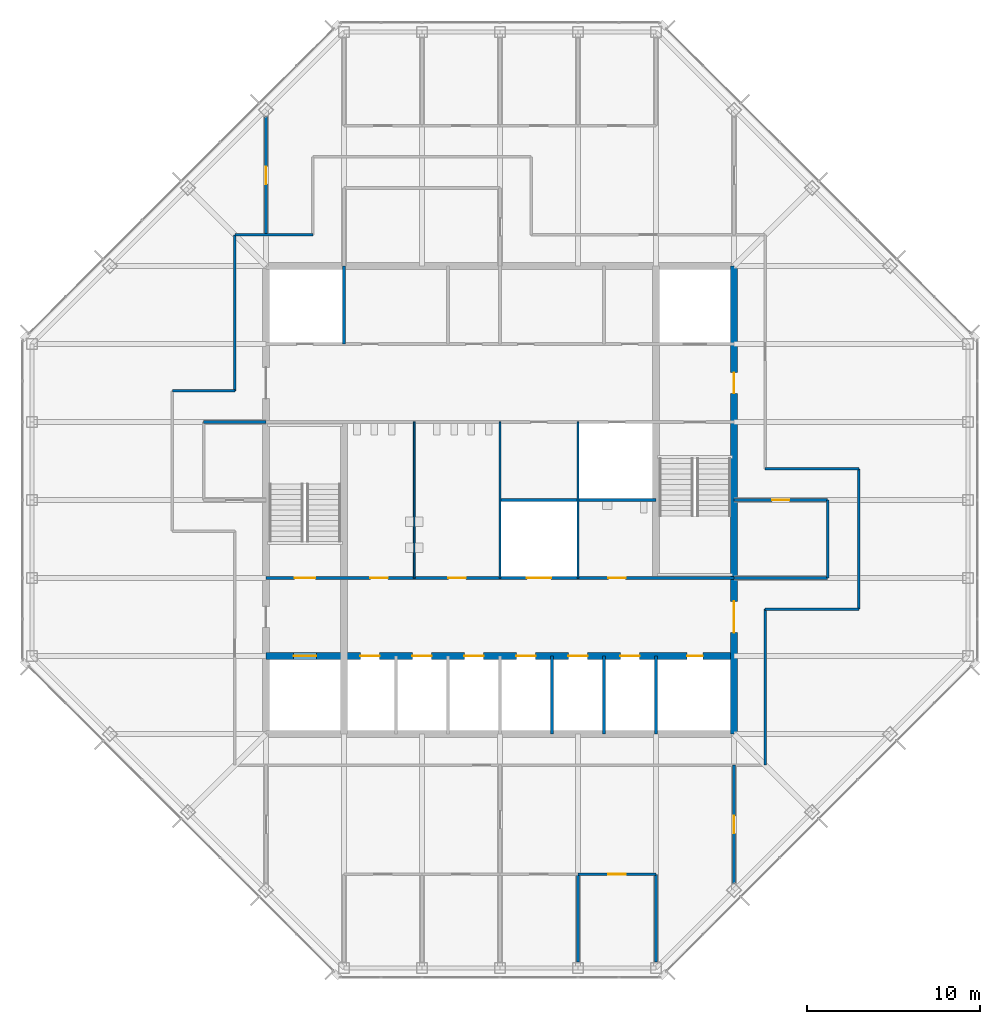
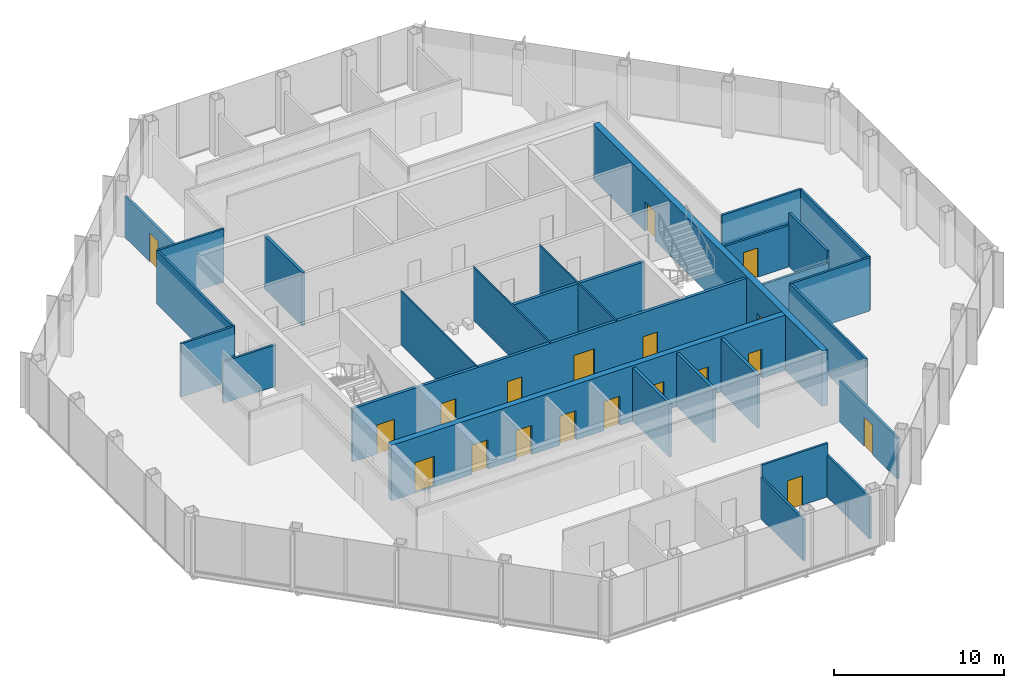
# One storey, part 10 of 14: 27 walls, 19 doors, 19 openings.
"""IFC4 building model written with IfcOpenShell, lengths in metres."""

from ifc_helpers import new_model, si_unit, direction, frame, frame_2d, origin, place, context, subcontext, project, spatial, rectangle, extrude, material, layer, layer_set, type_object, element, fill, save


model = new_model("IFC4")

# Units and contexts
model_context = context("Model", 3, precision=1e-05, world=origin(), true_north=direction((0.0, 1.0)))
body_context = subcontext(model_context, "Body", "Model", "MODEL_VIEW")
ifc_project = project(units=[si_unit("LENGTHUNIT", "METRE"), si_unit("AREAUNIT", "SQUARE_METRE"), si_unit("VOLUMEUNIT", "CUBIC_METRE"), si_unit("PLANEANGLEUNIT", "RADIAN"), si_unit("MASSUNIT", "GRAM", prefix="KILO")], contexts=[model_context])

# Site, building, storey
site_placement = place(None, origin())
site = spatial("IfcSite", under=ifc_project, at=site_placement, CompositionType="ELEMENT")
building_placement = place(site_placement, origin())
building = spatial("IfcBuilding", under=site, at=building_placement, Name="Corais Broadcast Tower", CompositionType="ELEMENT")
storey_placement = place(building_placement, frame((0.0, 0.0, 246.60009765625)))
storey = spatial("IfcBuildingStorey", under=building, at=storey_placement, Name="L57", CompositionType="ELEMENT", Elevation=246.60009765625)

# Walls
ifc_material_1 = material(Name="Concrete blockwork class A, grouted, two-hour", Category="masonry")
ifc_layer_1 = layer(ifc_material_1, 0.199951171875)
ifc_layer_set_1 = layer_set([ifc_layer_1], Name="Concrete blockwork class A, grouted, two-hour")
wall_type_1 = type_object("IfcWallType", Name="Core lobby wall 200", PredefinedType="SOLIDWALL", material=ifc_layer_set_1)
for number, where, z_axis, x_axis, name in (
    (1, (18.0, 36.0, 0.0), (0.0, 0.0, 1.0), (0.0, 1.0, 0.0), "CL3 core shaft wall X18B L57"),
    (2, (36.0, 13.5, 0.0), (0.0, 0.0, 1.0), (0.0, 1.0, 0.0), "CL3 core shaft wall X36A L57"),
):
    element("IfcWall", number, at=place(storey_placement, frame(where, z_axis=z_axis, x_axis=x_axis)), inside=storey, type_object=wall_type_1, Name=name, PredefinedType="SOLIDWALL", context=body_context, shape_type="SweptSolid", body=[
        extrude(rectangle(XDim=4.5, YDim=0.199951171875, at=frame_2d((2.25, 0.0))), origin(), (0.0, 0.0, 1.0), 3.83984375),
    ])

# Wall, openings, doors
wall_1_placement = place(storey_placement, frame((13.5, 22.5, 0.0), z_axis=(0.0, 0.0, 1.0), x_axis=(1.0, 0.0, 0.0)))
wall_1 = element("IfcWall", 3, at=wall_1_placement, inside=storey, type_object=wall_type_1, Name="CL3 core lobby wall Y225 L57", PredefinedType="SOLIDWALL", context=body_context, shape_type="SweptSolid", body=[
    extrude(rectangle(XDim=27.0, YDim=0.199951171875, at=frame_2d((13.5, 0.0))), origin(), (0.0, 0.0, 1.0), 3.83984375),
])
opening_1_placement = place(wall_1_placement, frame((1.64990234375, 0.0, 0.0)))
opening_1 = element("IfcOpeningElement", 4, at=opening_1_placement, cuts=wall_1, Name="Opening FD1", PredefinedType="OPENING", context=body_context, shape_type="SweptSolid", body=[
    extrude(rectangle(XDim=1.199951171875, YDim=2.10009765625, at=frame_2d((0.60009765625, 1.050048828125))), frame((0.0, 0.10986328125, 0.0), z_axis=(0.0, -1.0, 0.0), x_axis=(1.0, 0.0, 0.0)), (0.0, 0.0, 1.0), 0.219970703125),
])
opening_2_placement = place(wall_1_placement, frame((6.02490234375, 0.0, 0.0)))
opening_2 = element("IfcOpeningElement", 5, at=opening_2_placement, cuts=wall_1, Name="Opening WD1", PredefinedType="OPENING", context=body_context, shape_type="SweptSolid", body=[
    extrude(rectangle(XDim=1.0, YDim=2.10009765625, at=frame_2d((0.5, 1.050048828125))), frame((0.0, 0.10986328125, 0.0), z_axis=(0.0, -1.0, 0.0), x_axis=(1.0, 0.0, 0.0)), (0.0, 0.0, 1.0), 0.219970703125),
])
opening_3_placement = place(wall_1_placement, frame((10.52490234375, 0.0, 0.0)))
opening_3 = element("IfcOpeningElement", 6, at=opening_3_placement, cuts=wall_1, Name="Opening WD1", PredefinedType="OPENING", context=body_context, shape_type="SweptSolid", body=[
    extrude(rectangle(XDim=1.0, YDim=2.10009765625, at=frame_2d((0.5, 1.050048828125))), frame((0.0, 0.10986328125, 0.0), z_axis=(0.0, -1.0, 0.0), x_axis=(1.0, 0.0, 0.0)), (0.0, 0.0, 1.0), 0.219970703125),
])
opening_4_placement = place(wall_1_placement, frame((19.75, 0.0, 0.0)))
opening_4 = element("IfcOpeningElement", 7, at=opening_4_placement, cuts=wall_1, Name="Opening WD1", PredefinedType="OPENING", context=body_context, shape_type="SweptSolid", body=[
    extrude(rectangle(XDim=1.0, YDim=2.10009765625, at=frame_2d((0.5, 1.050048828125))), frame((0.0, 0.10986328125, 0.0), z_axis=(0.0, -1.0, 0.0), x_axis=(1.0, 0.0, 0.0)), (0.0, 0.0, 1.0), 0.219970703125),
])
opening_5_placement = place(wall_1_placement, frame((15.050048828125, 0.0, 0.0)))
opening_5 = element("IfcOpeningElement", 8, at=opening_5_placement, cuts=wall_1, Name="Opening LD3", PredefinedType="OPENING", context=body_context, shape_type="SweptSolid", body=[
    extrude(rectangle(XDim=1.39990234375, YDim=2.39990234375, at=frame_2d((0.699951171875, 1.199951171875))), frame((0.0, 0.10986328125, 0.0), z_axis=(0.0, -1.0, 0.0), x_axis=(1.0, 0.0, 0.0)), (0.0, 0.0, 1.0), 0.219970703125),
])
ifc_material_2 = material(Name="Steel fire door", Category="steel")
door_type_1 = type_object("IfcDoorType", Name="Fire door 1200x2100", OperationType="SINGLE_SWING_LEFT", PredefinedType="DOOR", material=ifc_material_2)
door_1_placement = place(opening_1_placement, origin())
door_1 = element("IfcDoor", 9, at=door_1_placement, inside=storey, type_object=door_type_1, Name="FD1 stair A door L57", OperationType="SINGLE_SWING_LEFT", OverallHeight=2.10009765625, OverallWidth=1.199951171875, PredefinedType="DOOR", context=body_context, shape_type="SweptSolid", body=[
    extrude(rectangle(XDim=1.199951171875, YDim=2.10009765625, at=frame_2d((0.60009765625, 1.050048828125))), frame((0.0, 0.02490234375, 0.0), z_axis=(0.0, -1.0, 0.0), x_axis=(1.0, 0.0, 0.0)), (0.0, 0.0, 1.0), 0.050048828125),
])
fill(opening_1, door_1)
ifc_material_3 = material(Name="Stainless steel lift door", Category="steel")
door_type_2 = type_object("IfcDoorType", Name="Service lift landing door 1400x2400", OperationType="SLIDING_TO_LEFT", PredefinedType="DOOR", material=ifc_material_3)
door_2_placement = place(opening_5_placement, origin())
door_2 = element("IfcDoor", 10, at=door_2_placement, inside=storey, type_object=door_type_2, Name="LD3 SL1 landing door L57", OperationType="SLIDING_TO_LEFT", OverallHeight=2.39990234375, OverallWidth=1.39990234375, PredefinedType="DOOR", context=body_context, shape_type="SweptSolid", body=[
    extrude(rectangle(XDim=1.39990234375, YDim=2.39990234375, at=frame_2d((0.699951171875, 1.199951171875))), frame((0.0, 0.02490234375, 0.0), z_axis=(0.0, -1.0, 0.0), x_axis=(1.0, 0.0, 0.0)), (0.0, 0.0, 1.0), 0.050048828125),
])
fill(opening_5, door_2)
ifc_material_4 = material(Name="Timber door", Category="wood")
door_type_3 = type_object("IfcDoorType", Name="Toilet door 1000x2100", OperationType="SINGLE_SWING_LEFT", PredefinedType="DOOR", material=ifc_material_4)
door_3_placement = place(opening_2_placement, origin())
door_3 = element("IfcDoor", 11, at=door_3_placement, inside=storey, type_object=door_type_3, Name="WD1 WC male door L57", OperationType="SINGLE_SWING_LEFT", OverallHeight=2.10009765625, OverallWidth=1.0, PredefinedType="DOOR", context=body_context, shape_type="SweptSolid", body=[
    extrude(rectangle(XDim=1.0, YDim=2.10009765625, at=frame_2d((0.5, 1.050048828125))), frame((0.0, 0.02490234375, 0.0), z_axis=(0.0, -1.0, 0.0), x_axis=(1.0, 0.0, 0.0)), (0.0, 0.0, 1.0), 0.050048828125),
])
fill(opening_2, door_3)
door_4_placement = place(opening_3_placement, origin())
door_4 = element("IfcDoor", 12, at=door_4_placement, inside=storey, type_object=door_type_3, Name="WD1 WC female door L57", OperationType="SINGLE_SWING_LEFT", OverallHeight=2.10009765625, OverallWidth=1.0, PredefinedType="DOOR", context=body_context, shape_type="SweptSolid", body=[
    extrude(rectangle(XDim=1.0, YDim=2.10009765625, at=frame_2d((0.5, 1.050048828125))), frame((0.0, 0.02490234375, 0.0), z_axis=(0.0, -1.0, 0.0), x_axis=(1.0, 0.0, 0.0)), (0.0, 0.0, 1.0), 0.050048828125),
])
fill(opening_3, door_4)
door_5_placement = place(opening_4_placement, origin())
door_5 = element("IfcDoor", 13, at=door_5_placement, inside=storey, type_object=door_type_3, Name="WD1 accessible WC door L57", OperationType="SINGLE_SWING_RIGHT", OverallHeight=2.10009765625, OverallWidth=1.0, PredefinedType="DOOR", context=body_context, shape_type="SweptSolid", body=[
    extrude(rectangle(XDim=1.0, YDim=2.10009765625, at=frame_2d((0.5, 1.050048828125))), frame((0.0, 0.02490234375, 0.0), z_axis=(0.0, -1.0, 0.0), x_axis=(1.0, 0.0, 0.0)), (0.0, 0.0, 1.0), 0.050048828125),
])
fill(opening_4, door_5)

ifc_material_5 = material(Name="Concrete C50/60", Category="concrete")
ifc_layer_2 = layer(ifc_material_5, 0.39990234375)
ifc_layer_set_2 = layer_set([ifc_layer_2], Name="Concrete C50/60")
wall_type_2 = type_object("IfcWallType", Name="Core wall 400", PredefinedType="SHEAR", material=ifc_layer_set_2)
wall_2_placement = place(storey_placement, frame((40.5, 13.5, 0.0), z_axis=(0.0, 0.0, 1.0), x_axis=(0.0, 1.0, 0.0)))
wall_2 = element("IfcWall", 14, at=wall_2_placement, inside=storey, type_object=wall_type_2, Name="CR400 core wall E L57", PredefinedType="SHEAR", context=body_context, shape_type="SweptSolid", body=[
    extrude(rectangle(XDim=27.0, YDim=0.39990234375, at=frame_2d((13.5, 0.0))), origin(), (0.0, 0.0, 1.0), 4.0),
])
opening_6_placement = place(wall_2_placement, frame((5.85009765625, 0.0, 0.0)))
opening_6 = element("IfcOpeningElement", 15, at=opening_6_placement, cuts=wall_2, Name="Opening FD2", PredefinedType="OPENING", context=body_context, shape_type="SweptSolid", body=[
    extrude(rectangle(XDim=1.800048828125, YDim=2.10009765625, at=frame_2d((0.89990234375, 1.050048828125))), frame((0.0, 0.2099609375, 0.0), z_axis=(0.0, -1.0, 0.0), x_axis=(1.0, 0.0, 0.0)), (0.0, 0.0, 1.0), 0.419921875),
])
opening_7_placement = place(wall_2_placement, frame((19.64990234375, 0.0, 0.0)))
opening_7 = element("IfcOpeningElement", 16, at=opening_7_placement, cuts=wall_2, Name="Opening FD1", PredefinedType="OPENING", context=body_context, shape_type="SweptSolid", body=[
    extrude(rectangle(XDim=1.199951171875, YDim=2.10009765625, at=frame_2d((0.60009765625, 1.050048828125))), frame((0.0, 0.2099609375, 0.0), z_axis=(0.0, -1.0, 0.0), x_axis=(1.0, 0.0, 0.0)), (0.0, 0.0, 1.0), 0.419921875),
])
door_6_placement = place(opening_7_placement, origin())
door_6 = element("IfcDoor", 17, at=door_6_placement, inside=storey, type_object=door_type_1, Name="FD1 fire lobby B door L57", OperationType="SINGLE_SWING_RIGHT", OverallHeight=2.10009765625, OverallWidth=1.199951171875, PredefinedType="DOOR", context=body_context, shape_type="SweptSolid", body=[
    extrude(rectangle(XDim=1.199951171875, YDim=2.10009765625, at=frame_2d((0.60009765625, 1.050048828125))), frame((0.0, 0.02490234375, 0.0), z_axis=(0.0, -1.0, 0.0), x_axis=(1.0, 0.0, 0.0)), (0.0, 0.0, 1.0), 0.050048828125),
])
fill(opening_7, door_6)
ifc_material_6 = material(Name="Steel fire door", Category="steel")
door_type_4 = type_object("IfcDoorType", Name="Fire door pair 1800x2100", OperationType="DOUBLE_DOOR_SINGLE_SWING", PredefinedType="DOOR", material=ifc_material_6)
door_7_placement = place(opening_6_placement, origin())
door_7 = element("IfcDoor", 18, at=door_7_placement, inside=storey, type_object=door_type_4, Name="FD2 lift lobby door L57", OperationType="SINGLE_SWING_LEFT", OverallHeight=2.10009765625, OverallWidth=1.800048828125, PredefinedType="DOOR", context=body_context, shape_type="SweptSolid", body=[
    extrude(rectangle(XDim=1.800048828125, YDim=2.10009765625, at=frame_2d((0.89990234375, 1.050048828125))), frame((0.0, 0.02490234375, 0.0), z_axis=(0.0, -1.0, 0.0), x_axis=(1.0, 0.0, 0.0)), (0.0, 0.0, 1.0), 0.050048828125),
])
fill(opening_6, door_7)

wall_3_placement = place(storey_placement, frame((13.5, 18.0, 0.0), z_axis=(0.0, 0.0, 1.0), x_axis=(1.0, 0.0, 0.0)))
wall_3 = element("IfcWall", 19, at=wall_3_placement, inside=storey, type_object=wall_type_2, Name="CR400 core wall Y18 L57", PredefinedType="SHEAR", context=body_context, shape_type="SweptSolid", body=[
    extrude(rectangle(XDim=27.0, YDim=0.39990234375, at=frame_2d((13.5, 0.0))), origin(), (0.0, 0.0, 1.0), 4.0),
])
opening_8_placement = place(wall_3_placement, frame((24.300048828125, 0.0, 0.0)))
opening_8 = element("IfcOpeningElement", 20, at=opening_8_placement, cuts=wall_3, Name="Opening RD1", PredefinedType="OPENING", context=body_context, shape_type="SweptSolid", body=[
    extrude(rectangle(XDim=0.89990234375, YDim=2.10009765625, at=frame_2d((0.449951171875, 1.050048828125))), frame((0.0, 0.2099609375, 0.0), z_axis=(0.0, -1.0, 0.0), x_axis=(1.0, 0.0, 0.0)), (0.0, 0.0, 1.0), 0.419921875),
])
opening_9_placement = place(wall_3_placement, frame((5.449951171875, 0.0, 0.0)))
opening_9 = element("IfcOpeningElement", 21, at=opening_9_placement, cuts=wall_3, Name="Opening LD1", PredefinedType="OPENING", context=body_context, shape_type="SweptSolid", body=[
    extrude(rectangle(XDim=1.10009765625, YDim=2.10009765625, at=frame_2d((0.550048828125, 1.050048828125))), frame((0.0, 0.2099609375, 0.0), z_axis=(0.0, -1.0, 0.0), x_axis=(1.0, 0.0, 0.0)), (0.0, 0.0, 1.0), 0.419921875),
])
opening_10_placement = place(wall_3_placement, frame((8.449951171875, 0.0, 0.0)))
opening_10 = element("IfcOpeningElement", 22, at=opening_10_placement, cuts=wall_3, Name="Opening LD1", PredefinedType="OPENING", context=body_context, shape_type="SweptSolid", body=[
    extrude(rectangle(XDim=1.10009765625, YDim=2.10009765625, at=frame_2d((0.550048828125, 1.050048828125))), frame((0.0, 0.2099609375, 0.0), z_axis=(0.0, -1.0, 0.0), x_axis=(1.0, 0.0, 0.0)), (0.0, 0.0, 1.0), 0.419921875),
])
opening_11_placement = place(wall_3_placement, frame((11.449951171875, 0.0, 0.0)))
opening_11 = element("IfcOpeningElement", 23, at=opening_11_placement, cuts=wall_3, Name="Opening LD1", PredefinedType="OPENING", context=body_context, shape_type="SweptSolid", body=[
    extrude(rectangle(XDim=1.10009765625, YDim=2.10009765625, at=frame_2d((0.550048828125, 1.050048828125))), frame((0.0, 0.2099609375, 0.0), z_axis=(0.0, -1.0, 0.0), x_axis=(1.0, 0.0, 0.0)), (0.0, 0.0, 1.0), 0.419921875),
])
opening_12_placement = place(wall_3_placement, frame((14.449951171875, 0.0, 0.0)))
opening_12 = element("IfcOpeningElement", 24, at=opening_12_placement, cuts=wall_3, Name="Opening LD1", PredefinedType="OPENING", context=body_context, shape_type="SweptSolid", body=[
    extrude(rectangle(XDim=1.10009765625, YDim=2.10009765625, at=frame_2d((0.550048828125, 1.050048828125))), frame((0.0, 0.2099609375, 0.0), z_axis=(0.0, -1.0, 0.0), x_axis=(1.0, 0.0, 0.0)), (0.0, 0.0, 1.0), 0.419921875),
])
opening_13_placement = place(wall_3_placement, frame((17.449951171875, 0.0, 0.0)))
opening_13 = element("IfcOpeningElement", 25, at=opening_13_placement, cuts=wall_3, Name="Opening LD1", PredefinedType="OPENING", context=body_context, shape_type="SweptSolid", body=[
    extrude(rectangle(XDim=1.10009765625, YDim=2.10009765625, at=frame_2d((0.550048828125, 1.050048828125))), frame((0.0, 0.2099609375, 0.0), z_axis=(0.0, -1.0, 0.0), x_axis=(1.0, 0.0, 0.0)), (0.0, 0.0, 1.0), 0.419921875),
])
opening_14_placement = place(wall_3_placement, frame((20.449951171875, 0.0, 0.0)))
opening_14 = element("IfcOpeningElement", 26, at=opening_14_placement, cuts=wall_3, Name="Opening LD1", PredefinedType="OPENING", context=body_context, shape_type="SweptSolid", body=[
    extrude(rectangle(XDim=1.10009765625, YDim=2.10009765625, at=frame_2d((0.550048828125, 1.050048828125))), frame((0.0, 0.2099609375, 0.0), z_axis=(0.0, -1.0, 0.0), x_axis=(1.0, 0.0, 0.0)), (0.0, 0.0, 1.0), 0.419921875),
])
opening_15_placement = place(wall_3_placement, frame((1.60009765625, 0.0, 0.0)))
opening_15 = element("IfcOpeningElement", 27, at=opening_15_placement, cuts=wall_3, Name="Opening LD2", PredefinedType="OPENING", context=body_context, shape_type="SweptSolid", body=[
    extrude(rectangle(XDim=1.300048828125, YDim=2.199951171875, at=frame_2d((0.64990234375, 1.10009765625))), frame((0.0, 0.2099609375, 0.0), z_axis=(0.0, -1.0, 0.0), x_axis=(1.0, 0.0, 0.0)), (0.0, 0.0, 1.0), 0.419921875),
])
ifc_material_7 = material(Name="Stainless steel lift door", Category="steel")
door_type_5 = type_object("IfcDoorType", Name="Lift landing door 1100x2100", OperationType="SLIDING_TO_LEFT", PredefinedType="DOOR", material=ifc_material_7)
door_8_placement = place(opening_9_placement, origin())
door_8 = element("IfcDoor", 28, at=door_8_placement, inside=storey, type_object=door_type_5, Name="LD1 PH1 landing door L57", OperationType="SLIDING_TO_LEFT", OverallHeight=2.10009765625, OverallWidth=1.10009765625, PredefinedType="DOOR", context=body_context, shape_type="SweptSolid", body=[
    extrude(rectangle(XDim=1.10009765625, YDim=2.10009765625, at=frame_2d((0.550048828125, 1.050048828125))), frame((0.0, 0.02490234375, 0.0), z_axis=(0.0, -1.0, 0.0), x_axis=(1.0, 0.0, 0.0)), (0.0, 0.0, 1.0), 0.050048828125),
])
fill(opening_9, door_8)
door_9_placement = place(opening_10_placement, origin())
door_9 = element("IfcDoor", 29, at=door_9_placement, inside=storey, type_object=door_type_5, Name="LD1 PH2 landing door L57", OperationType="SLIDING_TO_LEFT", OverallHeight=2.10009765625, OverallWidth=1.10009765625, PredefinedType="DOOR", context=body_context, shape_type="SweptSolid", body=[
    extrude(rectangle(XDim=1.10009765625, YDim=2.10009765625, at=frame_2d((0.550048828125, 1.050048828125))), frame((0.0, 0.02490234375, 0.0), z_axis=(0.0, -1.0, 0.0), x_axis=(1.0, 0.0, 0.0)), (0.0, 0.0, 1.0), 0.050048828125),
])
fill(opening_10, door_9)
door_10_placement = place(opening_11_placement, origin())
door_10 = element("IfcDoor", 30, at=door_10_placement, inside=storey, type_object=door_type_5, Name="LD1 PH3 landing door L57", OperationType="SLIDING_TO_LEFT", OverallHeight=2.10009765625, OverallWidth=1.10009765625, PredefinedType="DOOR", context=body_context, shape_type="SweptSolid", body=[
    extrude(rectangle(XDim=1.10009765625, YDim=2.10009765625, at=frame_2d((0.550048828125, 1.050048828125))), frame((0.0, 0.02490234375, 0.0), z_axis=(0.0, -1.0, 0.0), x_axis=(1.0, 0.0, 0.0)), (0.0, 0.0, 1.0), 0.050048828125),
])
fill(opening_11, door_10)
door_11_placement = place(opening_12_placement, origin())
door_11 = element("IfcDoor", 31, at=door_11_placement, inside=storey, type_object=door_type_5, Name="LD1 PH4 landing door L57", OperationType="SLIDING_TO_LEFT", OverallHeight=2.10009765625, OverallWidth=1.10009765625, PredefinedType="DOOR", context=body_context, shape_type="SweptSolid", body=[
    extrude(rectangle(XDim=1.10009765625, YDim=2.10009765625, at=frame_2d((0.550048828125, 1.050048828125))), frame((0.0, 0.02490234375, 0.0), z_axis=(0.0, -1.0, 0.0), x_axis=(1.0, 0.0, 0.0)), (0.0, 0.0, 1.0), 0.050048828125),
])
fill(opening_12, door_11)
door_12_placement = place(opening_13_placement, origin())
door_12 = element("IfcDoor", 32, at=door_12_placement, inside=storey, type_object=door_type_5, Name="LD1 PH5 landing door L57", OperationType="SLIDING_TO_LEFT", OverallHeight=2.10009765625, OverallWidth=1.10009765625, PredefinedType="DOOR", context=body_context, shape_type="SweptSolid", body=[
    extrude(rectangle(XDim=1.10009765625, YDim=2.10009765625, at=frame_2d((0.550048828125, 1.050048828125))), frame((0.0, 0.02490234375, 0.0), z_axis=(0.0, -1.0, 0.0), x_axis=(1.0, 0.0, 0.0)), (0.0, 0.0, 1.0), 0.050048828125),
])
fill(opening_13, door_12)
door_13_placement = place(opening_14_placement, origin())
door_13 = element("IfcDoor", 33, at=door_13_placement, inside=storey, type_object=door_type_5, Name="LD1 PH6 landing door L57", OperationType="SLIDING_TO_LEFT", OverallHeight=2.10009765625, OverallWidth=1.10009765625, PredefinedType="DOOR", context=body_context, shape_type="SweptSolid", body=[
    extrude(rectangle(XDim=1.10009765625, YDim=2.10009765625, at=frame_2d((0.550048828125, 1.050048828125))), frame((0.0, 0.02490234375, 0.0), z_axis=(0.0, -1.0, 0.0), x_axis=(1.0, 0.0, 0.0)), (0.0, 0.0, 1.0), 0.050048828125),
])
fill(opening_14, door_13)
ifc_material_8 = material(Name="Stainless steel lift door", Category="steel")
door_type_6 = type_object("IfcDoorType", Name="Lift landing door 1300x2200", OperationType="SLIDING_TO_LEFT", PredefinedType="DOOR", material=ifc_material_8)
door_14_placement = place(opening_15_placement, origin())
door_14 = element("IfcDoor", 34, at=door_14_placement, inside=storey, type_object=door_type_6, Name="LD2 FL1 landing door L57", OperationType="SLIDING_TO_LEFT", OverallHeight=2.199951171875, OverallWidth=1.300048828125, PredefinedType="DOOR", context=body_context, shape_type="SweptSolid", body=[
    extrude(rectangle(XDim=1.300048828125, YDim=2.199951171875, at=frame_2d((0.64990234375, 1.10009765625))), frame((0.0, 0.02490234375, 0.0), z_axis=(0.0, -1.0, 0.0), x_axis=(1.0, 0.0, 0.0)), (0.0, 0.0, 1.0), 0.050048828125),
])
fill(opening_15, door_14)
ifc_material_9 = material(Name="Steel fire door", Category="steel")
door_type_7 = type_object("IfcDoorType", Name="Riser door 900x2100", OperationType="SINGLE_SWING_LEFT", PredefinedType="DOOR", material=ifc_material_9)
door_15_placement = place(opening_8_placement, origin())
door_15 = element("IfcDoor", 35, at=door_15_placement, inside=storey, type_object=door_type_7, Name="RD1 riser door L57", OperationType="SINGLE_SWING_RIGHT", OverallHeight=2.10009765625, OverallWidth=0.89990234375, PredefinedType="DOOR", context=body_context, shape_type="SweptSolid", body=[
    extrude(rectangle(XDim=0.89990234375, YDim=2.10009765625, at=frame_2d((0.449951171875, 1.050048828125))), frame((0.0, 0.02490234375, 0.0), z_axis=(0.0, -1.0, 0.0), x_axis=(1.0, 0.0, 0.0)), (0.0, 0.0, 1.0), 0.050048828125),
])
fill(opening_8, door_15)

# Walls
ifc_material_10 = material(Name="Gypsum board on steel studs", Category="steel")
ifc_layer_3 = layer(ifc_material_10, 0.14990234375)
ifc_layer_set_3 = layer_set([ifc_layer_3], Name="Gypsum board on steel studs")
wall_type_3 = type_object("IfcWallType", Name="Partition 150", PredefinedType="PARTITIONING", material=ifc_layer_set_3)
for number, where, z_axis, x_axis, name in (
    (36, (11.699951171875, 42.300048828125, 0.0), (0.0, 0.0, 1.0), (0.0, -1.0, 0.0), "IW3 corridor wall L57"),
    (37, (42.300048828125, 11.699951171875, 0.0), (0.0, 0.0, 1.0), (0.0, 1.0, 0.0), "IW3 corridor wall L57"),
):
    element("IfcWall", number, at=place(storey_placement, frame(where, z_axis=z_axis, x_axis=x_axis)), inside=storey, type_object=wall_type_3, Name=name, PredefinedType="PARTITIONING", context=body_context, shape_type="SweptSolid", body=[
        extrude(rectangle(XDim=9.0, YDim=0.14990234375, at=frame_2d((4.5, 0.0))), origin(), (0.0, 0.0, 1.0), 3.83984375),
    ])
wall_4_placement = place(storey_placement, frame((47.699951171875, 20.699951171875, 0.0), z_axis=(0.0, 0.0, 1.0), x_axis=(0.0, 1.0, 0.0)))
element("IfcWall", 38, at=wall_4_placement, inside=storey, type_object=wall_type_3, Name="IW3 corridor wall L57", PredefinedType="PARTITIONING", context=body_context, shape_type="SweptSolid", body=[
    extrude(rectangle(XDim=8.10009765625, YDim=0.14990234375, at=frame_2d((4.050048828125, 0.0))), origin(), (0.0, 0.0, 1.0), 3.83984375),
])
for number, where, z_axis, x_axis, name in (
    (39, (42.300048828125, 20.699951171875, 0.0), (0.0, 0.0, 1.0), (1.0, 0.0, 0.0), "IW3 corridor wall L57"),
    (40, (47.699951171875, 28.800048828125, 0.0), (0.0, 0.0, 1.0), (-1.0, 0.0, 0.0), "IW3 corridor wall L57"),
):
    element("IfcWall", number, at=place(storey_placement, frame(where, z_axis=z_axis, x_axis=x_axis)), inside=storey, type_object=wall_type_3, Name=name, PredefinedType="PARTITIONING", context=body_context, shape_type="SweptSolid", body=[
        extrude(rectangle(XDim=5.39990234375, YDim=0.14990234375, at=frame_2d((2.699951171875, 0.0))), origin(), (0.0, 0.0, 1.0), 3.83984375),
    ])
wall_5_placement = place(storey_placement, frame((16.199951171875, 42.300048828125, 0.0), z_axis=(0.0, 0.0, 1.0), x_axis=(-1.0, 0.0, 0.0)))
element("IfcWall", 41, at=wall_5_placement, inside=storey, type_object=wall_type_3, Name="IW3 corridor wall L57", PredefinedType="PARTITIONING", context=body_context, shape_type="SweptSolid", body=[
    extrude(rectangle(XDim=4.5, YDim=0.14990234375, at=frame_2d((2.25, 0.0))), origin(), (0.0, 0.0, 1.0), 3.83984375),
])
wall_6_placement = place(storey_placement, frame((11.699951171875, 33.300048828125, 0.0), z_axis=(0.0, 0.0, 1.0), x_axis=(-1.0, 0.0, 0.0)))
element("IfcWall", 42, at=wall_6_placement, inside=storey, type_object=wall_type_3, Name="IW3 corridor wall L57", PredefinedType="PARTITIONING", context=body_context, shape_type="SweptSolid", body=[
    extrude(rectangle(XDim=3.599853515625, YDim=0.14990234375, at=frame_2d((1.7998046875, 0.0))), origin(), (0.0, 0.0, 1.0), 3.83984375),
])
for number, where, z_axis, x_axis, name in (
    (43, (31.5, 0.3349609375, 0.0), (0.0, 0.0, 1.0), (0.0, 1.0, 0.0), "IW3 partition L57"),
    (44, (36.0, 0.3349609375, 0.0), (0.0, 0.0, 1.0), (0.0, 1.0, 0.0), "IW3 partition L57"),
):
    element("IfcWall", number, at=place(storey_placement, frame(where, z_axis=z_axis, x_axis=x_axis)), inside=storey, type_object=wall_type_3, Name=name, PredefinedType="PARTITIONING", context=body_context, shape_type="SweptSolid", body=[
        extrude(rectangle(XDim=5.06494140625, YDim=0.14990234375, at=frame_2d((2.532470703125, 0.0))), origin(), (0.0, 0.0, 1.0), 2.989013671875),
    ])

# Wall, opening, door
wall_7_placement = place(storey_placement, frame((36.0, 5.39990234375, 0.0), z_axis=(0.0, 0.0, 1.0), x_axis=(-1.0, 0.0, 0.0)))
wall_7 = element("IfcWall", 45, at=wall_7_placement, inside=storey, type_object=wall_type_3, Name="IW3 partition L57", PredefinedType="PARTITIONING", context=body_context, shape_type="SweptSolid", body=[
    extrude(rectangle(XDim=4.5, YDim=0.14990234375, at=frame_2d((2.25, 0.0))), origin(), (0.0, 0.0, 1.0), 3.83984375),
])
opening_16_placement = place(wall_7_placement, frame((1.75, 0.0, 0.0)))
opening_16 = element("IfcOpeningElement", 46, at=opening_16_placement, cuts=wall_7, Name="Opening D1", PredefinedType="OPENING", context=body_context, shape_type="SweptSolid", body=[
    extrude(rectangle(XDim=1.0, YDim=2.10009765625, at=frame_2d((0.5, 1.050048828125))), frame((0.0, 0.0849609375, 0.0), z_axis=(0.0, -1.0, 0.0), x_axis=(1.0, 0.0, 0.0)), (0.0, 0.0, 1.0), 0.169921875),
])
ifc_material_11 = material(Name="Timber door", Category="wood")
door_type_8 = type_object("IfcDoorType", Name="Single door 1000x2100", OperationType="SINGLE_SWING_LEFT", PredefinedType="DOOR", material=ifc_material_11)
door_16_placement = place(opening_16_placement, origin())
door_16 = element("IfcDoor", 47, at=door_16_placement, inside=storey, type_object=door_type_8, Name="D1 Office door", OperationType="SINGLE_SWING_LEFT", OverallHeight=2.10009765625, OverallWidth=1.0, PredefinedType="DOOR", context=body_context, shape_type="SweptSolid", body=[
    extrude(rectangle(XDim=1.0, YDim=2.10009765625, at=frame_2d((0.5, 1.050048828125))), frame((0.0, 0.02490234375, 0.0), z_axis=(0.0, -1.0, 0.0), x_axis=(1.0, 0.0, 0.0)), (0.0, 0.0, 1.0), 0.050048828125),
])
fill(opening_16, door_16)

# Walls
wall_8_placement = place(storey_placement, frame((40.5, 22.5, 0.0), z_axis=(0.0, 0.0, 1.0), x_axis=(1.0, 0.0, 0.0)))
element("IfcWall", 48, at=wall_8_placement, inside=storey, type_object=wall_type_3, Name="IW3 partition L57", PredefinedType="PARTITIONING", context=body_context, shape_type="SweptSolid", body=[
    extrude(rectangle(XDim=5.39990234375, YDim=0.14990234375, at=frame_2d((2.699951171875, 0.0))), origin(), (0.0, 0.0, 1.0), 2.989013671875),
])
wall_9_placement = place(storey_placement, frame((45.89990234375, 22.5, 0.0), z_axis=(0.0, 0.0, 1.0), x_axis=(0.0, 1.0, 0.0)))
element("IfcWall", 49, at=wall_9_placement, inside=storey, type_object=wall_type_3, Name="IW3 partition L57", PredefinedType="PARTITIONING", context=body_context, shape_type="SweptSolid", body=[
    extrude(rectangle(XDim=4.5, YDim=0.14990234375, at=frame_2d((2.25, 0.0))), origin(), (0.0, 0.0, 1.0), 3.83984375),
])

# Wall, opening, door
wall_10_placement = place(storey_placement, frame((45.89990234375, 27.0, 0.0), z_axis=(0.0, 0.0, 1.0), x_axis=(-1.0, 0.0, 0.0)))
wall_10 = element("IfcWall", 50, at=wall_10_placement, inside=storey, type_object=wall_type_3, Name="IW3 partition L57", PredefinedType="PARTITIONING", context=body_context, shape_type="SweptSolid", body=[
    extrude(rectangle(XDim=5.39990234375, YDim=0.14990234375, at=frame_2d((2.699951171875, 0.0))), origin(), (0.0, 0.0, 1.0), 2.989013671875),
])
opening_17_placement = place(wall_10_placement, frame((2.199951171875, 0.0, 0.0)))
opening_17 = element("IfcOpeningElement", 51, at=opening_17_placement, cuts=wall_10, Name="Opening D1", PredefinedType="OPENING", context=body_context, shape_type="SweptSolid", body=[
    extrude(rectangle(XDim=1.0, YDim=2.10009765625, at=frame_2d((0.5, 1.050048828125))), frame((0.0, 0.0849609375, 0.0), z_axis=(0.0, -1.0, 0.0), x_axis=(1.0, 0.0, 0.0)), (0.0, 0.0, 1.0), 0.169921875),
])
door_17_placement = place(opening_17_placement, origin())
door_17 = element("IfcDoor", 52, at=door_17_placement, inside=storey, type_object=door_type_8, Name="D1 Meeting room door", OperationType="SINGLE_SWING_LEFT", OverallHeight=2.10009765625, OverallWidth=1.0, PredefinedType="DOOR", context=body_context, shape_type="SweptSolid", body=[
    extrude(rectangle(XDim=1.0, YDim=2.10009765625, at=frame_2d((0.5, 1.050048828125))), frame((0.0, 0.02490234375, 0.0), z_axis=(0.0, -1.0, 0.0), x_axis=(1.0, 0.0, 0.0)), (0.0, 0.0, 1.0), 0.050048828125),
])
fill(opening_17, door_17)

# Wall
wall_11_placement = place(storey_placement, frame((13.5, 31.5, 0.0), z_axis=(0.0, 0.0, 1.0), x_axis=(-1.0, 0.0, 0.0)))
element("IfcWall", 53, at=wall_11_placement, inside=storey, type_object=wall_type_3, Name="IW3 partition L57", PredefinedType="PARTITIONING", context=body_context, shape_type="SweptSolid", body=[
    extrude(rectangle(XDim=3.60009765625, YDim=0.14990234375, at=frame_2d((1.800048828125, 0.0))), origin(), (0.0, 0.0, 1.0), 2.989013671875),
])

# Wall, opening, door
wall_12_placement = place(storey_placement, frame((13.5, 42.300048828125, 0.0), z_axis=(0.0, 0.0, 1.0), x_axis=(0.0, 1.0, 0.0)))
wall_12 = element("IfcWall", 54, at=wall_12_placement, inside=storey, type_object=wall_type_3, Name="IW3 partition L57", PredefinedType="PARTITIONING", context=body_context, shape_type="SweptSolid", body=[
    extrude(rectangle(XDim=6.85498046875, YDim=0.14990234375, at=frame_2d((3.427490234375, 0.0))), origin(), (0.0, 0.0, 1.0), 2.989013671875),
])
opening_18_placement = place(wall_12_placement, frame((2.927490234375, 0.0, 0.0)))
opening_18 = element("IfcOpeningElement", 55, at=opening_18_placement, cuts=wall_12, Name="Opening D1", PredefinedType="OPENING", context=body_context, shape_type="SweptSolid", body=[
    extrude(rectangle(XDim=1.0, YDim=2.10009765625, at=frame_2d((0.5, 1.050048828125))), frame((0.0, 0.0849609375, 0.0), z_axis=(0.0, -1.0, 0.0), x_axis=(1.0, 0.0, 0.0)), (0.0, 0.0, 1.0), 0.169921875),
])
door_18_placement = place(opening_18_placement, origin())
door_18 = element("IfcDoor", 56, at=door_18_placement, inside=storey, type_object=door_type_8, Name="D1 team room door L57", OperationType="SINGLE_SWING_LEFT", OverallHeight=2.10009765625, OverallWidth=1.0, PredefinedType="DOOR", context=body_context, shape_type="SweptSolid", body=[
    extrude(rectangle(XDim=1.0, YDim=2.10009765625, at=frame_2d((0.5, 1.050048828125))), frame((0.0, 0.02490234375, 0.0), z_axis=(0.0, -1.0, 0.0), x_axis=(1.0, 0.0, 0.0)), (0.0, 0.0, 1.0), 0.050048828125),
])
fill(opening_18, door_18)

wall_13_placement = place(storey_placement, frame((40.5, 4.844970703125, 0.0), z_axis=(0.0, 0.0, 1.0), x_axis=(0.0, 1.0, 0.0)))
wall_13 = element("IfcWall", 57, at=wall_13_placement, inside=storey, type_object=wall_type_3, Name="IW3 partition L57", PredefinedType="PARTITIONING", context=body_context, shape_type="SweptSolid", body=[
    extrude(rectangle(XDim=6.85498046875, YDim=0.14990234375, at=frame_2d((3.427490234375, 0.0))), origin(), (0.0, 0.0, 1.0), 2.989013671875),
])
opening_19_placement = place(wall_13_placement, frame((2.927490234375, 0.0, 0.0)))
opening_19 = element("IfcOpeningElement", 58, at=opening_19_placement, cuts=wall_13, Name="Opening D1", PredefinedType="OPENING", context=body_context, shape_type="SweptSolid", body=[
    extrude(rectangle(XDim=1.0, YDim=2.10009765625, at=frame_2d((0.5, 1.050048828125))), frame((0.0, 0.0849609375, 0.0), z_axis=(0.0, -1.0, 0.0), x_axis=(1.0, 0.0, 0.0)), (0.0, 0.0, 1.0), 0.169921875),
])
door_19_placement = place(opening_19_placement, origin())
door_19 = element("IfcDoor", 59, at=door_19_placement, inside=storey, type_object=door_type_8, Name="D1 team room door L57", OperationType="SINGLE_SWING_LEFT", OverallHeight=2.10009765625, OverallWidth=1.0, PredefinedType="DOOR", context=body_context, shape_type="SweptSolid", body=[
    extrude(rectangle(XDim=1.0, YDim=2.10009765625, at=frame_2d((0.5, 1.050048828125))), frame((0.0, 0.02490234375, 0.0), z_axis=(0.0, -1.0, 0.0), x_axis=(1.0, 0.0, 0.0)), (0.0, 0.0, 1.0), 0.050048828125),
])
fill(opening_19, door_19)

# Walls
ifc_material_12 = material(Name="Concrete blockwork class A, grouted, two-hour", Category="masonry")
ifc_layer_4 = layer(ifc_material_12, 0.199951171875)
ifc_layer_set_4 = layer_set([ifc_layer_4], Name="Concrete blockwork class A, grouted, two-hour")
wall_type_4 = type_object("IfcWallType", Name="Shaft wall 200", PredefinedType="PARTITIONING", material=ifc_layer_set_4)
for number, where, z_axis, x_axis, name in (
    (60, (30.0, 13.5, 0.0), (0.0, 0.0, 1.0), (0.0, 1.0, 0.0), "IW1 shaft wall L57"),
    (61, (33.0, 13.5, 0.0), (0.0, 0.0, 1.0), (0.0, 1.0, 0.0), "IW1 shaft wall L57"),
):
    element("IfcWall", number, at=place(storey_placement, frame(where, z_axis=z_axis, x_axis=x_axis)), inside=storey, type_object=wall_type_4, Name=name, PredefinedType="PARTITIONING", context=body_context, shape_type="SweptSolid", body=[
        extrude(rectangle(XDim=4.5, YDim=0.199951171875, at=frame_2d((2.25, 0.0))), origin(), (0.0, 0.0, 1.0), 3.83984375),
    ])
wall_14_placement = place(storey_placement, frame((27.0, 27.0, 0.0), z_axis=(0.0, 0.0, 1.0), x_axis=(1.0, 0.0, 0.0)))
element("IfcWall", 62, at=wall_14_placement, inside=storey, type_object=wall_type_4, Name="IW1 shaft wall L57", PredefinedType="PARTITIONING", context=body_context, shape_type="SweptSolid", body=[
    extrude(rectangle(XDim=9.0, YDim=0.199951171875, at=frame_2d((4.5, 0.0))), origin(), (0.0, 0.0, 1.0), 3.83984375),
])
ifc_material_13 = material(Name="Dense concrete blockwork class A, tiled both faces", Category="masonry")
ifc_layer_5 = layer(ifc_material_13, 0.10009765625)
ifc_layer_set_5 = layer_set([ifc_layer_5], Name="Dense concrete blockwork class A, tiled both faces")
wall_type_5 = type_object("IfcWallType", Name="Toilet wall 100", PredefinedType="PLUMBINGWALL", material=ifc_layer_set_5)
for number, where, z_axis, x_axis, name in (
    (63, (22.050048828125, 22.5, 0.0), (0.0, 0.0, 1.0), (0.0, 1.0, 0.0), "IW2 toilet wall L57"),
    (64, (27.0, 22.5, 0.0), (0.0, 0.0, 1.0), (0.0, 1.0, 0.0), "IW2 toilet wall L57"),
    (65, (31.5, 22.5, 0.0), (0.0, 0.0, 1.0), (0.0, 1.0, 0.0), "IW2 toilet wall L57"),
):
    element("IfcWall", number, at=place(storey_placement, frame(where, z_axis=z_axis, x_axis=x_axis)), inside=storey, type_object=wall_type_5, Name=name, PredefinedType="PLUMBINGWALL", context=body_context, shape_type="SweptSolid", body=[
        extrude(rectangle(XDim=9.0, YDim=0.10009765625, at=frame_2d((4.5, 0.0))), origin(), (0.0, 0.0, 1.0), 3.83984375),
    ])

save(model, "model.ifc")
